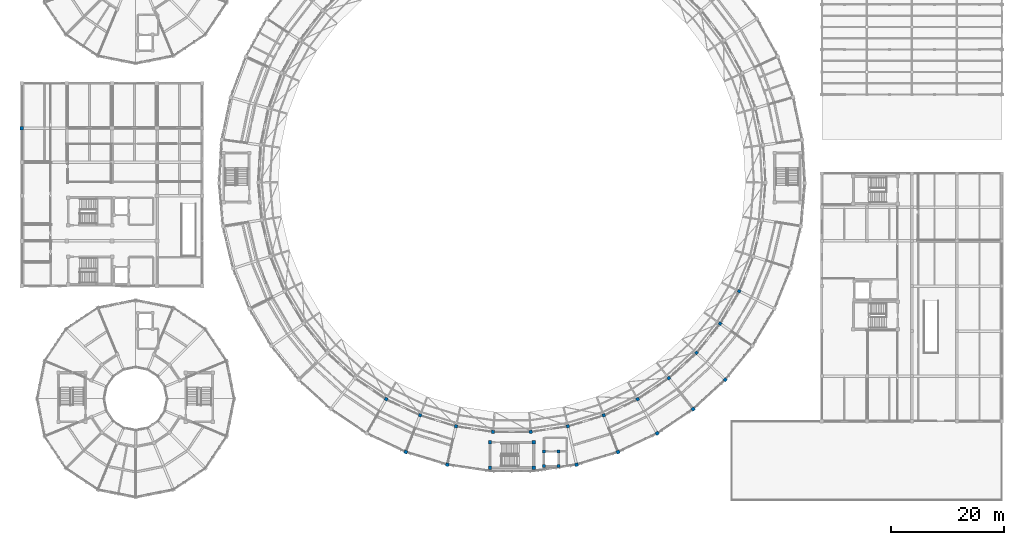
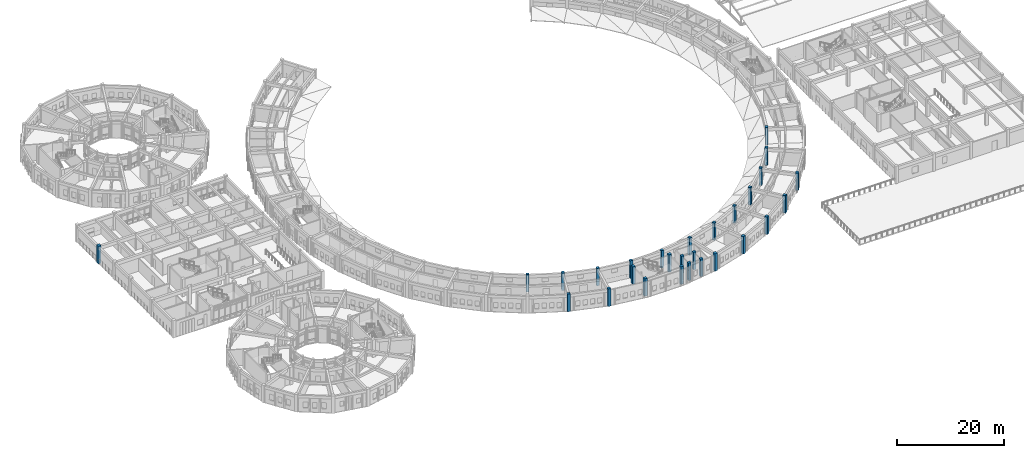
# One storey, part 4 of 112: 28 columns.
"""IFC4 building model written with IfcOpenShell, lengths in metres."""

from ifc_helpers import new_model, si_unit, direction, frame, origin, origin_2d, place, context, subcontext, project, spatial, rectangle, extrude, material, material_profile, profile_set, type_object, element, save


model = new_model("IFC4")

# Units and contexts
model_context = context("Model", 3, precision=1e-05, world=origin(), true_north=direction((0.0, 1.0)))
body_context = subcontext(model_context, "Body", "Model", "MODEL_VIEW")
ifc_project = project(units=[si_unit("LENGTHUNIT", "METRE"), si_unit("AREAUNIT", "SQUARE_METRE"), si_unit("VOLUMEUNIT", "CUBIC_METRE"), si_unit("PLANEANGLEUNIT", "RADIAN"), si_unit("MASSUNIT", "GRAM", prefix="KILO")], contexts=[model_context])

# Site, building, storey
site_placement = place(None, origin())
site = spatial("IfcSite", under=ifc_project, at=site_placement, CompositionType="ELEMENT")
building_placement = place(site_placement, origin())
building = spatial("IfcBuilding", under=site, at=building_placement, Name="Celadon Cloister-Ring School", CompositionType="ELEMENT")
storey_placement = place(building_placement, frame((0.0, 0.0, 8.5)))
storey = spatial("IfcBuildingStorey", under=building, at=storey_placement, Name="L02", CompositionType="ELEMENT", Elevation=8.5)

# Columns
ifc_material_1 = material(Name="Concrete C40/50", Category="concrete")
ifc_material_profile_1 = material_profile(ifc_material_1, rectangle(XDim=0.60009765625, YDim=0.60009765625, at=origin_2d()), Name="RC600X600")
ifc_profile_set_1 = profile_set([ifc_material_profile_1], Name="Concrete C40/50")
column_type_1 = type_object("IfcColumnType", Name="CT-04", PredefinedType="COLUMN", material=ifc_profile_set_1)
for number, where, z_axis, x_axis, name in (
    (1, (83.10009765625, 7.75, 0.0), (0.0, 0.0, 1.0), (1.0, 0.0, 0.0), "Column 0019"),
    (2, (90.89990234375, 7.75, 0.0), (0.0, 0.0, 1.0), (1.0, 0.0, 0.0), "Column 0023"),
    (3, (90.89990234375, 12.27001953125, 0.0), (0.0, 0.0, 1.0), (1.0, 0.0, 0.0), "Column 0027"),
    (4, (83.10009765625, 12.27001953125, 0.0), (0.0, 0.0, 1.0), (1.0, 0.0, 0.0), "Column 0031"),
):
    element("IfcColumn", number, at=place(storey_placement, frame(where, z_axis=z_axis, x_axis=x_axis)), inside=storey, type_object=column_type_1, Name=name, PredefinedType="COLUMN", context=body_context, shape_type="SweptSolid", body=[
        extrude(rectangle(XDim=0.60009765625, YDim=0.60009765625, at=origin_2d()), origin(), (0.0, 0.0, 1.0), 4.0),
    ])
ifc_material_2 = material(Name="Concrete C40/50", Category="concrete")
ifc_material_profile_2 = material_profile(ifc_material_2, rectangle(XDim=0.550048828125, YDim=0.550048828125, at=origin_2d()), Name="RC550X550")
ifc_profile_set_2 = profile_set([ifc_material_profile_2], Name="Concrete C40/50")
column_type_2 = type_object("IfcColumnType", Name="CT-05", PredefinedType="COLUMN", material=ifc_profile_set_2)
for number, where, z_axis, x_axis, name in (
    (5, (92.699951171875, 8.050048828125, 0.0), (0.0, 0.0, 1.0), (1.0, 0.0, 0.0), "Column 0262"),
    (6, (95.300048828125, 8.050048828125, 0.0), (0.0, 0.0, 1.0), (1.0, 0.0, 0.0), "Column 0266"),
    (7, (95.300048828125, 10.64990234375, 0.0), (0.0, 0.0, 1.0), (1.0, 0.0, 0.0), "Column 0270"),
    (8, (92.699951171875, 10.64990234375, 0.0), (0.0, 0.0, 1.0), (1.0, 0.0, 0.0), "Column 0274"),
):
    element("IfcColumn", number, at=place(storey_placement, frame(where, z_axis=z_axis, x_axis=x_axis)), inside=storey, type_object=column_type_2, Name=name, PredefinedType="COLUMN", context=body_context, shape_type="SweptSolid", body=[
        extrude(rectangle(XDim=0.550048828125, YDim=0.550048828125, at=origin_2d()), origin(), (0.0, 0.0, 1.0), 4.0),
    ])
ifc_material_3 = material(Name="Concrete C40/50", Category="concrete")
ifc_material_profile_3 = material_profile(ifc_material_3, rectangle(XDim=0.64990234375, YDim=0.64990234375, at=origin_2d()), Name="RC650X650")
ifc_profile_set_3 = profile_set([ifc_material_profile_3], Name="Concrete C40/50")
column_type_3 = type_object("IfcColumnType", Name="CT-22", PredefinedType="COLUMN", material=ifc_profile_set_3)
column_placement = place(storey_placement, frame((0.0, 68.0, 0.0), z_axis=(0.0, 0.0, 1.0), x_axis=(1.0, 0.0, 0.0)))
element("IfcColumn", 9, at=column_placement, inside=storey, type_object=column_type_3, Name="Column 1084", PredefinedType="COLUMN", context=body_context, shape_type="SweptSolid", body=[
    extrude(rectangle(XDim=0.64990234375, YDim=0.64990234375, at=origin_2d()), origin(), (0.0, 0.0, 1.0), 4.0),
])
ifc_material_4 = material(Name="Concrete C40/50", Category="concrete")
ifc_material_profile_4 = material_profile(ifc_material_4, rectangle(XDim=0.60009765625, YDim=0.60009765625, at=origin_2d()), Name="RC600X600")
ifc_profile_set_4 = profile_set([ifc_material_profile_4], Name="Concrete C40/50")
column_type_4 = type_object("IfcColumnType", Name="CT-23", PredefinedType="COLUMN", material=ifc_profile_set_4)
for number, where, z_axis, x_axis, name in (
    (10, (68.162109375, 10.531982421875, 0.0), (0.0, 0.0, 1.0), (-0.362275366705, -0.932071112458, 0.0), "Column 0602"),
    (11, (75.529052734375, 8.281005859375, 0.0), (0.0, 0.0, 1.0), (-0.220595296203, -0.975365426542, 0.0), "Column 0606"),
    (12, (98.470947265625, 8.281005859375, 0.0), (0.0, 0.0, 1.0), (0.220595296203, -0.975365426542, 0.0), "Column 0610"),
    (13, (105.837890625, 10.531982421875, 0.0), (0.0, 0.0, 1.0), (0.362275366705, -0.932071112458, 0.0), "Column 0614"),
    (14, (112.7919921875, 13.846923828125, 0.0), (0.0, 0.0, 1.0), (0.496004347874, -0.868320037135, 0.0), "Column 0618"),
    (15, (119.179931640625, 18.153076171875, 0.0), (0.0, 0.0, 1.0), (0.618847204173, -0.785511386224, 0.0), "Column 0622"),
    (16, (124.862060546875, 23.35595703125, 0.0), (0.0, 0.0, 1.0), (0.728107824814, -0.685462614185, 0.0), "Column 0626"),
):
    element("IfcColumn", number, at=place(storey_placement, frame(where, z_axis=z_axis, x_axis=x_axis)), inside=storey, type_object=column_type_4, Name=name, PredefinedType="COLUMN", context=body_context, shape_type="SweptSolid", body=[
        extrude(rectangle(XDim=0.60009765625, YDim=0.60009765625, at=origin_2d()), origin(), (0.0, 0.0, 1.0), 4.0),
    ])
ifc_material_5 = material(Name="Concrete C40/50", Category="concrete")
ifc_material_profile_5 = material_profile(ifc_material_5, rectangle(XDim=0.550048828125, YDim=0.550048828125, at=origin_2d()), Name="RC550X550")
ifc_profile_set_5 = profile_set([ifc_material_profile_5], Name="Concrete C40/50")
column_type_5 = type_object("IfcColumnType", Name="CT-24", PredefinedType="COLUMN", material=ifc_profile_set_5)
for number, where, z_axis, x_axis, name in (
    (17, (64.679931640625, 19.926025390625, 0.0), (0.0, 0.0, 1.0), (-0.496004347874, -0.868320037135, 0.0), "Column 0454"),
    (18, (70.697998046875, 17.056884765625, 0.0), (0.0, 0.0, 1.0), (-0.362275366705, -0.932071112458, 0.0), "Column 0458"),
    (19, (77.072998046875, 15.10888671875, 0.0), (0.0, 0.0, 1.0), (-0.220595296203, -0.975365426542, 0.0), "Column 0462"),
    (20, (83.6669921875, 14.1240234375, 0.0), (0.0, 0.0, 1.0), (-0.074073679552, -0.997252771366, 0.0), "Column 0466"),
    (21, (90.3330078125, 14.1240234375, 0.0), (0.0, 0.0, 1.0), (0.074073679552, -0.997252771366, 0.0), "Column 0470"),
    (22, (96.927001953125, 15.10888671875, 0.0), (0.0, 0.0, 1.0), (0.220595296203, -0.975365426542, 0.0), "Column 0474"),
    (23, (103.302001953125, 17.056884765625, 0.0), (0.0, 0.0, 1.0), (0.362275366705, -0.932071112458, 0.0), "Column 0478"),
    (24, (109.320068359375, 19.926025390625, 0.0), (0.0, 0.0, 1.0), (0.496004347874, -0.868320037135, 0.0), "Column 0482"),
    (25, (114.847900390625, 23.652099609375, 0.0), (0.0, 0.0, 1.0), (0.618847204173, -0.785511386224, 0.0), "Column 0486"),
    (26, (119.764892578125, 28.154052734375, 0.0), (0.0, 0.0, 1.0), (0.728107824814, -0.685462614185, 0.0), "Column 0490"),
    (27, (123.9619140625, 33.3330078125, 0.0), (0.0, 0.0, 1.0), (0.821388197028, -0.57036955545, 0.0), "Column 0494"),
    (28, (127.34912109375, 39.075927734375, 0.0), (0.0, 0.0, 1.0), (0.896641036785, -0.442758231039, 0.0), "Column 0498"),
):
    element("IfcColumn", number, at=place(storey_placement, frame(where, z_axis=z_axis, x_axis=x_axis)), inside=storey, type_object=column_type_5, Name=name, PredefinedType="COLUMN", context=body_context, shape_type="SweptSolid", body=[
        extrude(rectangle(XDim=0.550048828125, YDim=0.550048828125, at=origin_2d()), origin(), (0.0, 0.0, 1.0), 4.0),
    ])

save(model, "model.ifc")
